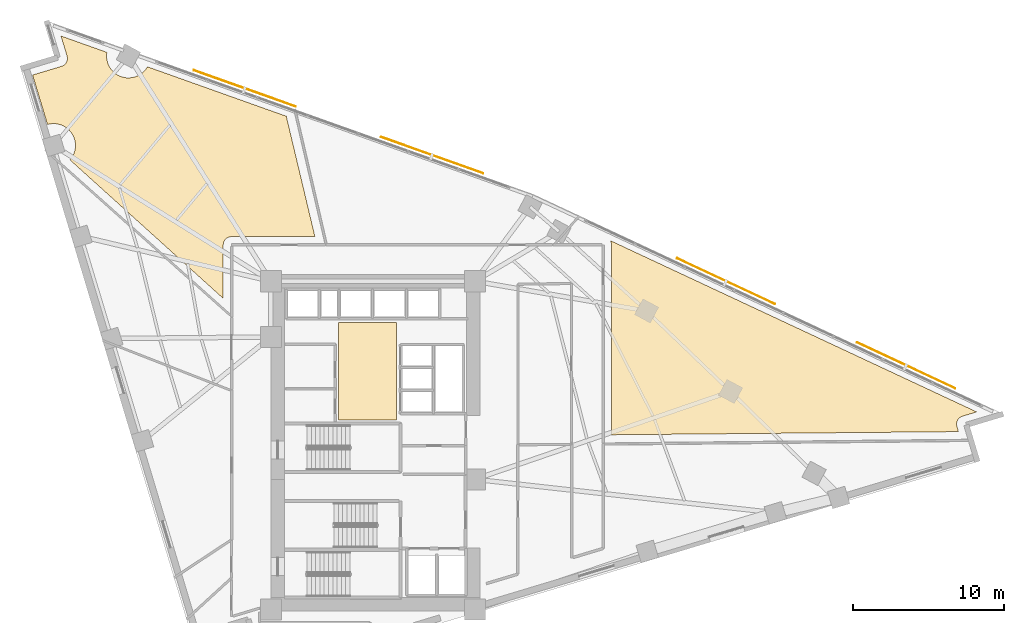
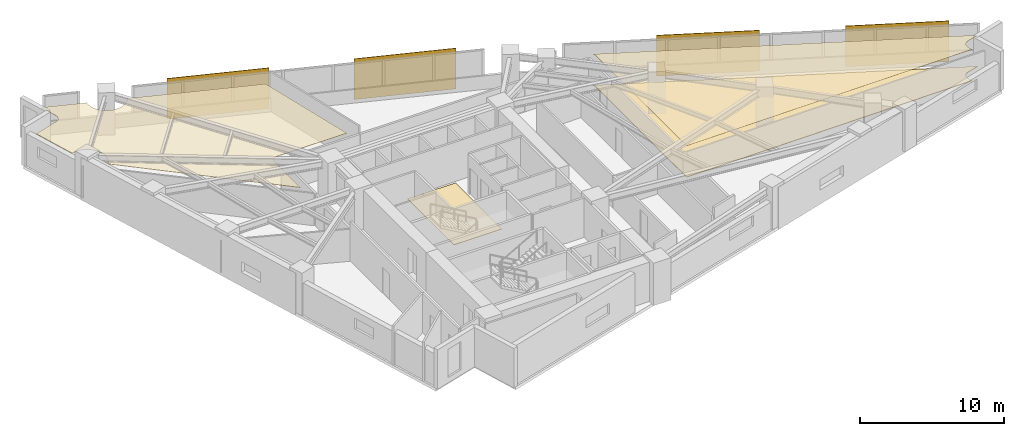
# One storey, part 15 of 15: 4 coverings, 4 shading devices.
"""IFC4 building model written with IfcOpenShell, lengths in metres."""

import ifcopenshell
import ifcopenshell.guid

model = None  # the IFC model being written
_history = None  # IfcOwnerHistory: only IFC2X3 demands one
_inside = {}  # id of a spatial element -> (the spatial element, [elements in it])
_under = {}  # id of a project, library or spatial element -> (it, [spatial elements below it])
_declared = {}  # id of a project -> (the project, [libraries it declares])
_typed = {}  # id of a type object -> (the type object, [elements of that type])
_made_of = {}  # id of a material, layer set ... -> (it, [elements and type objects made of it])


def new_model(schema):
    """Start an empty IFC model of exactly this schema.

    Asked for "IFC4X3", IfcOpenShell would pick the latest addendum, in which some entities
    have other attributes; the version numbers below select the first issue.
    IFC2X3 requires an IfcOwnerHistory on every rooted entity: one is made here for all.
    """
    global model, _history
    if schema == "IFC4X3":
        model = ifcopenshell.file(schema_version=(4, 3, 0, 0))
    else:
        model = ifcopenshell.file(schema=schema)
    _inside.clear()
    _under.clear()
    _declared.clear()
    _typed.clear()
    _made_of.clear()
    _history = None
    if model.schema == "IFC2X3":
        org = make("IfcOrganization", Name="unknown")
        user = make(
            "IfcPersonAndOrganization",
            ThePerson=make("IfcPerson", FamilyName="unknown"),
            TheOrganization=org,
        )
        app = make(
            "IfcApplication",
            ApplicationDeveloper=org,
            Version="unknown",
            ApplicationFullName="unknown",
            ApplicationIdentifier="unknown",
        )
        _history = make(
            "IfcOwnerHistory",
            OwningUser=user,
            OwningApplication=app,
            ChangeAction="ADDED",
            CreationDate=0,
        )
    return model


def make(cls, **values):
    """One entity of the class cls with the attributes given. An attribute that is None is left unset."""
    return model.create_entity(
        cls, **{name: value for name, value in values.items() if value is not None}
    )


def rooted(cls, **values):
    """An entity with a GlobalId (a new one), such as an element, a storey or a relation."""
    return make(cls, GlobalId=ifcopenshell.guid.new(), OwnerHistory=_history, **values)


def si_unit(unit_type, name, prefix=None):
    """IfcSIUnit, for example si_unit("LENGTHUNIT", "METRE", prefix="MILLI")."""
    return make("IfcSIUnit", UnitType=unit_type, Prefix=prefix, Name=name)


def assignment(units):
    """IfcUnitAssignment: the units of a project."""
    return None if units is None else make("IfcUnitAssignment", Units=units)


def point(xyz):
    """IfcCartesianPoint."""
    return None if xyz is None else make("IfcCartesianPoint", Coordinates=xyz)


def direction(xyz):
    """IfcDirection."""
    return None if xyz is None else make("IfcDirection", DirectionRatios=xyz)


def frame(location, z_axis=None, x_axis=None):
    """IfcAxis2Placement3D, a coordinate frame: its origin and axes. An axis left out is left unset."""
    return make(
        "IfcAxis2Placement3D",
        Location=point(location),
        Axis=direction(z_axis),
        RefDirection=direction(x_axis),
    )


def frame_2d(location, x_axis=None):
    """IfcAxis2Placement2D, a coordinate frame in the plane: its origin and x axis."""
    return make(
        "IfcAxis2Placement2D", Location=point(location), RefDirection=direction(x_axis)
    )


def origin():
    """The frame at (0, 0, 0) with its axes left unset."""
    return frame((0.0, 0.0, 0.0))


def origin_2d():
    """The frame at (0, 0) in the plane with its x axis left unset."""
    return frame_2d((0.0, 0.0))


def place(relative_to, where):
    """IfcLocalPlacement: puts the frame where relative to a parent placement (None: the world)."""
    return make(
        "IfcLocalPlacement", PlacementRelTo=relative_to, RelativePlacement=where
    )


def context(
    kind, dimensions, precision=None, world=None, true_north=None, identifier=None
):
    """IfcGeometricRepresentationContext, for example the 3D "Model" context."""
    return make(
        "IfcGeometricRepresentationContext",
        ContextIdentifier=identifier,
        ContextType=kind,
        CoordinateSpaceDimension=dimensions,
        Precision=precision,
        WorldCoordinateSystem=world,
        TrueNorth=true_north,
    )


def subcontext(parent, identifier, kind, view, scale=None):
    """IfcGeometricRepresentationSubContext, for example "Body" below "Model"."""
    return make(
        "IfcGeometricRepresentationSubContext",
        ContextIdentifier=identifier,
        ContextType=kind,
        ParentContext=parent,
        TargetScale=scale,
        TargetView=view,
    )


def project(units=None, contexts=None):
    """IfcProject with its units and contexts."""
    return rooted(
        "IfcProject",
        Name="project",
        RepresentationContexts=contexts,
        UnitsInContext=assignment(units),
    )


def spatial(cls, under=None, at=None, **own):
    """A site, building, storey or space (cls), placed at a placement, below another one or the project."""
    s = rooted(cls, ObjectPlacement=at, **own)
    if under is not None:
        _under.setdefault(under.id(), (under, []))[1].append(s)
    return s


def polyline(points):
    """IfcPolyline through the points."""
    return make("IfcPolyline", Points=[point(p) for p in points])


def profile(cls, at=None, kind="AREA", **sizes):
    """A parametric profile (cls). Its sizes go by their IFC names, for example OverallWidth=200.0."""
    return make(cls, ProfileType=kind, Position=at, **sizes)


def rectangle(**sizes):
    """IfcRectangleProfileDef."""
    return profile("IfcRectangleProfileDef", **sizes)


def outline(outer, holes=None, kind="AREA"):
    """IfcArbitraryClosedProfileDef: a profile drawn as a closed curve; with holes, ...WithVoids."""
    if holes is None:
        return make("IfcArbitraryClosedProfileDef", ProfileType=kind, OuterCurve=outer)
    return make(
        "IfcArbitraryProfileDefWithVoids",
        ProfileType=kind,
        OuterCurve=outer,
        InnerCurves=holes,
    )


def extrude(swept, where, along, depth):
    """IfcExtrudedAreaSolid: the profile swept, set in the frame where, extruded along a direction by depth."""
    return make(
        "IfcExtrudedAreaSolid",
        SweptArea=swept,
        Position=where,
        ExtrudedDirection=direction(along),
        Depth=depth,
    )


def shape(context_of_items, identifier, shape_type, items):
    """IfcShapeRepresentation: the items that make up one representation, for example the "Body"."""
    return make(
        "IfcShapeRepresentation",
        ContextOfItems=context_of_items,
        RepresentationIdentifier=identifier,
        RepresentationType=shape_type,
        Items=items,
    )


def material(Name=None, Category=None):
    """IfcMaterial."""
    return make("IfcMaterial", Name=Name, Category=Category)


def layer(
    of_material, thickness, ventilated=None, Name=None, Category=None, Priority=None
):
    """IfcMaterialLayer: one layer of a wall or slab, of a material (None: an air gap)."""
    return make(
        "IfcMaterialLayer",
        Material=of_material,
        LayerThickness=thickness,
        IsVentilated=ventilated,
        Name=Name,
        Category=Category,
        Priority=Priority,
    )


def layer_set(layers, Name=None):
    """IfcMaterialLayerSet."""
    return make("IfcMaterialLayerSet", MaterialLayers=layers, LayerSetName=Name)


def made_of(thing, what):
    """Note that an element or type object is made of a material, layer set ...; save() writes the relation."""
    if what is not None:
        _made_of.setdefault(what.id(), (what, []))[1].append(thing)
    return thing


def type_object(cls, material=None, **own):
    """A type object (cls), such as IfcWallType, which elements share."""
    return made_of(rooted(cls, **own), material)


def element(
    cls,
    number,
    at=None,
    inside=None,
    cuts=None,
    type_object=None,
    material=None,
    context=None,
    identifier="Body",
    shape_type=None,
    held_by="IfcProductDefinitionShape",
    body=None,
    shapes=None,
    **own,
):
    """One element of the class cls, such as IfcWall. Its Tag is "e" and its number.

    at: its placement. inside: the storey or other place that contains it. cuts: it is an
    opening in that element (IfcRelVoidsElement). A single representation is given by context,
    identifier, shape_type and body (its items); several are given by shapes. held_by: the class
    of the entity that holds the representations. save() writes the other relations.
    """
    e = rooted(cls, Tag="e%d" % number, ObjectPlacement=at, **own)
    if body is not None:
        shapes = [shape(context, identifier, shape_type, body)]
    if shapes is not None:
        e.Representation = make(held_by, Representations=shapes)
    if inside is not None:
        _inside.setdefault(inside.id(), (inside, []))[1].append(e)
    if cuts is not None:
        rooted(
            "IfcRelVoidsElement", RelatingBuildingElement=cuts, RelatedOpeningElement=e
        )
    if type_object is not None:
        _typed.setdefault(type_object.id(), (type_object, []))[1].append(e)
    return made_of(e, material)


def aggregate(whole, parts):
    """IfcRelAggregates: a whole, such as a stair, and the parts it consists of."""
    return rooted("IfcRelAggregates", RelatingObject=whole, RelatedObjects=parts)


def save(model, path):
    """Write the relations noted so far, then the file.

    IfcRelAggregates (storeys below a building ...), IfcRelContainedInSpatialStructure (elements
    in a storey), IfcRelDefinesByType, IfcRelAssociatesMaterial and IfcRelDeclares: one each for
    every whole, place, type object, material and project.
    """
    for whole, parts in _under.values():
        aggregate(whole, parts)
    for where, things in _inside.values():
        rooted(
            "IfcRelContainedInSpatialStructure",
            RelatedElements=things,
            RelatingStructure=where,
        )
    for kind, things in _typed.values():
        rooted("IfcRelDefinesByType", RelatedObjects=things, RelatingType=kind)
    for what, things in _made_of.values():
        rooted("IfcRelAssociatesMaterial", RelatedObjects=things, RelatingMaterial=what)
    for by, libraries in _declared.values():
        rooted("IfcRelDeclares", RelatingContext=by, RelatedDefinitions=libraries)
    model.write(path)


model = new_model("IFC4")

# Units and contexts
model_context = context("Model", 3, precision=1e-05, world=origin(), true_north=direction((0.0, 1.0)))
body_context = subcontext(model_context, "Body", "Model", "MODEL_VIEW")
ifc_project = project(units=[si_unit("LENGTHUNIT", "METRE"), si_unit("AREAUNIT", "SQUARE_METRE"), si_unit("VOLUMEUNIT", "CUBIC_METRE"), si_unit("PLANEANGLEUNIT", "RADIAN"), si_unit("MASSUNIT", "GRAM", prefix="KILO")], contexts=[model_context])

# Site, building, storey
site_placement = place(None, origin())
site = spatial("IfcSite", under=ifc_project, at=site_placement, CompositionType="ELEMENT")
building_placement = place(site_placement, origin())
building = spatial("IfcBuilding", under=site, at=building_placement, Name="Narakoshi Arena Tower", CompositionType="ELEMENT")
storey_placement = place(building_placement, frame((0.0, 0.0, 157.5)))
storey = spatial("IfcBuildingStorey", under=building, at=storey_placement, Name="L42", CompositionType="ELEMENT", Elevation=157.5)

# Coverings
ifc_material_1 = material(Name="Acoustic mineral-fibre ceiling tile")
ifc_layer_1 = layer(ifc_material_1, 0.02001953125)
ifc_layer_set_1 = layer_set([ifc_layer_1], Name="Acoustic mineral-fibre ceiling tile")
covering_type_1 = type_object("IfcCoveringType", Name="COV-CLG-AC20", PredefinedType="CEILING", material=ifc_layer_set_1)
covering_1_placement = place(storey_placement, frame((0.0, 0.0, 2.669921875)))
element("IfcCovering", 1, at=covering_1_placement, inside=storey, type_object=covering_type_1, Name="L42 Suspended Acoustic Ceiling 1", PredefinedType="CEILING", context=body_context, shape_type="SweptSolid", body=[
    extrude(outline(polyline([(118.8564453125, 47.823974609375), (117.9150390625, 47.540771484375), (117.8642578125, 47.522705078125), (117.8154296875, 47.499755859375), (117.76904296875, 47.47216796875), (117.7255859375, 47.43994140625), (117.685546875, 47.40380859375), (117.649169921875, 47.364013671875), (117.616943359375, 47.32080078125), (117.589111328125, 47.2744140625), (117.56591796875, 47.2255859375), (117.547607421875, 47.1748046875), (117.534423828125, 47.12255859375), (117.5263671875, 47.069091796875), (117.523681640625, 47.015380859375), (117.526123046875, 46.96142578125), (117.533935546875, 46.907958984375), (117.546875, 46.855712890625), (117.6494140625, 46.515625), (94.611328125, 46.305908203125), (94.611328125, 58.908935546875), (94.608642578125, 58.962890625), (94.6005859375, 59.016357421875), (94.587646484375, 59.068603515625), (94.5693359375, 59.119384765625), (94.54638671875, 59.168212890625), (94.5283203125, 59.198486328125), (118.8564453125, 47.823974609375)])), origin(), (0.0, 0.0, 1.0), 0.02001953125),
])
ifc_material_2 = material(Name="Slatted oak acoustic timber baffle", Category="wood")
ifc_layer_2 = layer(ifc_material_2, 0.034912109375)
ifc_layer_set_2 = layer_set([ifc_layer_2], Name="Slatted oak acoustic timber baffle")
covering_type_2 = type_object("IfcCoveringType", Name="COV-CLG-WD35", PredefinedType="CEILING", material=ifc_layer_set_2)
covering_2_placement = place(storey_placement, frame((0.0, 0.0, 2.655029296875)))
element("IfcCovering", 2, at=covering_2_placement, inside=storey, type_object=covering_type_2, Name="L42 Suspended Acoustic Ceiling 2", PredefinedType="CEILING", context=body_context, shape_type="SweptSolid", body=[
    extrude(outline(polyline([(58.15234375, 70.7841796875), (58.201171875, 70.80712890625), (58.24755859375, 70.834716796875), (58.291015625, 70.86669921875), (58.3310546875, 70.903076171875), (58.367431640625, 70.94287109375), (58.399658203125, 70.986083984375), (58.427490234375, 71.032470703125), (58.45068359375, 71.0810546875), (58.468994140625, 71.1318359375), (58.482177734375, 71.18408203125), (58.490234375, 71.237548828125), (58.492919921875, 71.29150390625), (58.490478515625, 71.345458984375), (58.482666015625, 71.398681640625), (58.4697265625, 71.451171875), (58.070068359375, 72.77880859375), (61.1171875, 71.693603515625), (61.102294921875, 71.59228515625), (61.09521484375, 71.4501953125), (61.102294921875, 71.30810546875), (61.123046875, 71.16748046875), (61.15771484375, 71.029296875), (61.20556640625, 70.8955078125), (61.266357421875, 70.766845703125), (61.339599609375, 70.644775390625), (61.42431640625, 70.530517578125), (61.52001953125, 70.425048828125), (61.625244140625, 70.329345703125), (61.739501953125, 70.24462890625), (61.86181640625, 70.17138671875), (61.990234375, 70.110595703125), (62.124267578125, 70.062744140625), (62.26220703125, 70.0283203125), (62.403076171875, 70.00732421875), (62.545166015625, 70.000244140625), (62.687255859375, 70.00732421875), (62.828125, 70.0283203125), (62.966064453125, 70.062744140625), (63.10009765625, 70.110595703125), (63.228759765625, 70.17138671875), (63.350830078125, 70.24462890625), (63.465087890625, 70.329345703125), (63.570556640625, 70.425048828125), (63.666015625, 70.530517578125), (63.750732421875, 70.644775390625), (63.8056640625, 70.736083984375), (73.02490234375, 67.452392578125), (74.926025390625, 59.458984375), (69.388916015625, 59.458984375), (69.3349609375, 59.456298828125), (69.281494140625, 59.448486328125), (69.22900390625, 59.435302734375), (69.17822265625, 59.4169921875), (69.12939453125, 59.39404296875), (69.083251953125, 59.3662109375), (69.039794921875, 59.334228515625), (69.0, 59.2978515625), (68.963623046875, 59.2578125), (68.931396484375, 59.214599609375), (68.90380859375, 59.168212890625), (68.880615234375, 59.119384765625), (68.862548828125, 59.068603515625), (68.849365234375, 59.016357421875), (68.84130859375, 58.962890625), (68.8388671875, 58.908935546875), (68.8388671875, 55.35888671875), (58.665283203125, 64.552001953125), (58.701904296875, 64.59228515625), (58.78662109375, 64.70654296875), (58.859619140625, 64.82861328125), (58.92041015625, 64.957275390625), (58.968505859375, 65.09130859375), (59.0029296875, 65.229248046875), (59.02392578125, 65.3701171875), (59.031005859375, 65.51220703125), (59.02392578125, 65.654296875), (59.0029296875, 65.794921875), (58.968505859375, 65.93310546875), (58.92041015625, 66.06689453125), (58.859619140625, 66.195556640625), (58.78662109375, 66.317626953125), (58.701904296875, 66.431884765625), (58.606201171875, 66.537353515625), (58.500732421875, 66.633056640625), (58.386474609375, 66.7177734375), (58.264404296875, 66.791015625), (58.1357421875, 66.851806640625), (58.001708984375, 66.899658203125), (57.86376953125, 66.93408203125), (57.722900390625, 66.955078125), (57.580810546875, 66.962158203125), (57.438720703125, 66.955078125), (57.298095703125, 66.93408203125), (57.1728515625, 66.90283203125), (56.183837890625, 70.18896484375), (58.1015625, 70.76611328125), (58.15234375, 70.7841796875)])), origin(), (0.0, 0.0, 1.0), 0.034912109375),
])
ifc_material_3 = material(Name="Raised steel access floor panel", Category="steel")
ifc_layer_3 = layer(ifc_material_3, 0.044921875)
ifc_layer_set_3 = layer_set([ifc_layer_3], Name="Raised steel access floor panel")
covering_type_3 = type_object("IfcCoveringType", Name="COV-FLR-RF45", PredefinedType="FLOORING", material=ifc_layer_set_3)
covering_3_placement = place(storey_placement, origin())
element("IfcCovering", 3, at=covering_3_placement, inside=storey, type_object=covering_type_3, Name="L42 Raised Steel Access Floor", PredefinedType="FLOORING", context=body_context, shape_type="SweptSolid", body=[
    extrude(outline(polyline([(118.8564453125, 47.823974609375), (117.9150390625, 47.540771484375), (117.8642578125, 47.522705078125), (117.8154296875, 47.499755859375), (117.76904296875, 47.47216796875), (117.7255859375, 47.43994140625), (117.685546875, 47.40380859375), (117.649169921875, 47.364013671875), (117.616943359375, 47.32080078125), (117.589111328125, 47.2744140625), (117.56591796875, 47.2255859375), (117.547607421875, 47.1748046875), (117.534423828125, 47.12255859375), (117.5263671875, 47.069091796875), (117.523681640625, 47.015380859375), (117.526123046875, 46.96142578125), (117.533935546875, 46.907958984375), (117.546875, 46.855712890625), (117.6494140625, 46.515625), (94.611328125, 46.305908203125), (94.611328125, 58.908935546875), (94.608642578125, 58.962890625), (94.6005859375, 59.016357421875), (94.587646484375, 59.068603515625), (94.5693359375, 59.119384765625), (94.54638671875, 59.168212890625), (94.5283203125, 59.198486328125), (118.8564453125, 47.823974609375)])), origin(), (0.0, 0.0, 1.0), 0.044921875),
])
ifc_material_4 = material(Name="Honed granite stone paving", Category="masonry")
ifc_layer_4 = layer(ifc_material_4, 0.030029296875)
ifc_layer_set_4 = layer_set([ifc_layer_4], Name="Honed granite stone paving")
covering_type_4 = type_object("IfcCoveringType", Name="COV-FLR-ST30", PredefinedType="FLOORING", material=ifc_layer_set_4)
covering_4_placement = place(storey_placement, origin())
element("IfcCovering", 4, at=covering_4_placement, inside=storey, type_object=covering_type_4, Name="L42 Lift Lobby Granite Flooring", PredefinedType="FLOORING", context=body_context, shape_type="SweptSolid", body=[
    extrude(outline(polyline([(76.5, 47.300048828125), (80.35009765625, 47.300048828125), (80.35009765625, 53.75), (76.5, 53.75), (76.5, 47.300048828125)])), origin(), (0.0, 0.0, 1.0), 0.030029296875),
])

# Shading devices
ifc_material_5 = material(Name="Perforated bronze ceramic-metal composite")
ifc_layer_5 = layer(ifc_material_5, 0.044921875)
ifc_layer_set_5 = layer_set([ifc_layer_5], Name="Perforated bronze ceramic-metal composite")
shading_device_type = type_object("IfcShadingDeviceType", Name="SHD-SCR-BRZ1", PredefinedType="USERDEFINED", material=ifc_layer_set_5)
for number, where, z_axis, x_axis, name in (
    (5, (114.172607421875, 50.910888671875, 0.0), (0.0, 0.0, 1.0), (-0.9058795101, 0.423535492234, 0.0), "L42 Perforated Bronze Solar Screen 1-1"),
    (6, (102.21484375, 56.50146484375, 0.0), (0.0, 0.0, 1.0), (-0.9058795101, 0.423535492234, 0.0), "L42 Perforated Bronze Solar Screen 1-2"),
    (7, (82.70068359375, 64.868896484375, 0.0), (0.0, 0.0, 1.0), (-0.942034031554, 0.33551733695, 0.0), "L42 Perforated Bronze Solar Screen 2-1"),
    (8, (70.265869140625, 69.297607421875, 0.0), (0.0, 0.0, 1.0), (-0.942034031554, 0.33551733695, 0.0), "L42 Perforated Bronze Solar Screen 2-2"),
):
    element("IfcShadingDevice", number, at=place(storey_placement, frame(where, z_axis=z_axis, x_axis=x_axis)), inside=storey, type_object=shading_device_type, Name=name, ObjectType="SOLAR SCREEN", PredefinedType="USERDEFINED", context=body_context, shape_type="SweptSolid", body=[
        extrude(rectangle(XDim=7.199951171875, YDim=0.044921875, at=origin_2d()), origin(), (0.0, 0.0, 1.0), 3.449951171875),
    ])

save(model, "model.ifc")
